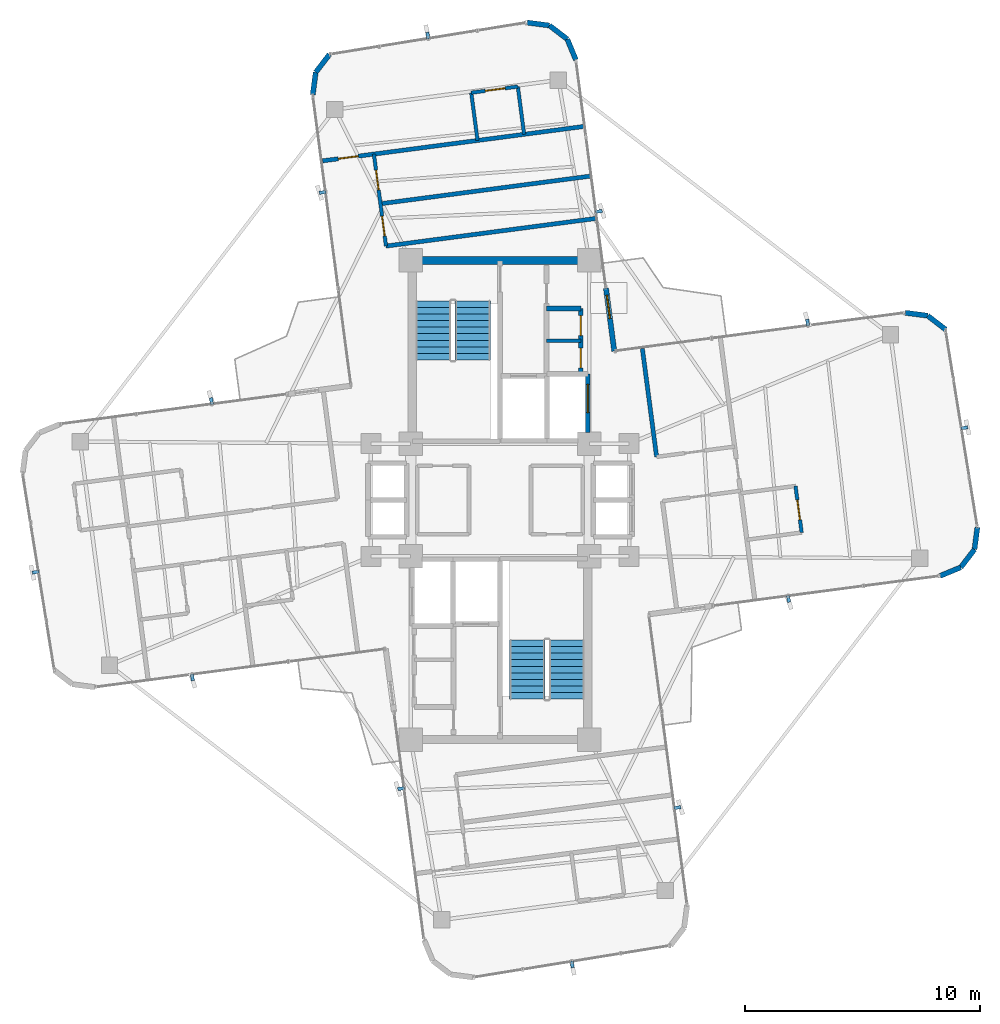
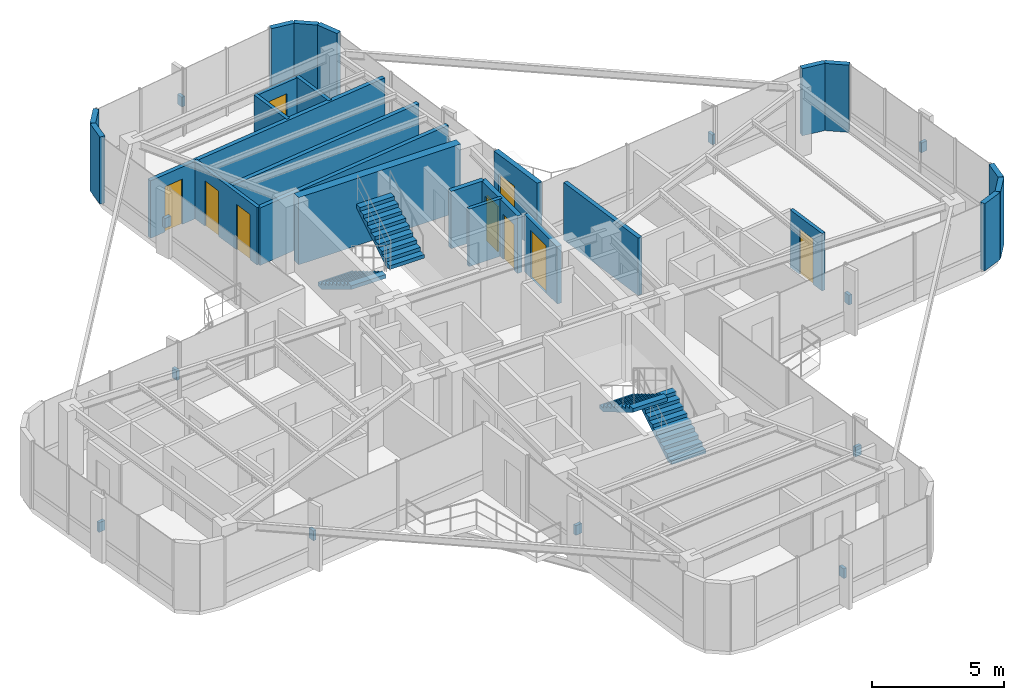
# One storey, part 20 of 21: 25 walls, 12 discrete accessories, 9 doors, 4 stair flights, 9 openings, 2 elements without a shape of their own.
"""IFC4 building model written with IfcOpenShell, lengths in metres."""

from ifc_helpers import new_model, si_unit, direction, frame, frame_2d, origin, origin_2d, place, context, subcontext, project, spatial, polyline, rectangle, outline, extrude, source, transform, mapped, material, layer, layer_set, type_object, element, fill, aggregate, save


model = new_model("IFC4")

# Units and contexts
model_context = context("Model", 3, precision=1e-05, world=origin(), true_north=direction((0.0, 1.0)))
body_context = subcontext(model_context, "Body", "Model", "MODEL_VIEW")
ifc_project = project(units=[si_unit("LENGTHUNIT", "METRE"), si_unit("AREAUNIT", "SQUARE_METRE"), si_unit("VOLUMEUNIT", "CUBIC_METRE"), si_unit("PLANEANGLEUNIT", "RADIAN"), si_unit("MASSUNIT", "GRAM", prefix="KILO")], contexts=[model_context])

# Site, building, storey
site_placement = place(None, origin())
site = spatial("IfcSite", under=ifc_project, at=site_placement, CompositionType="ELEMENT")
building_placement = place(site_placement, origin())
building = spatial("IfcBuilding", under=site, at=building_placement, Name="Sahyath Konkavel Grand Hotel", CompositionType="ELEMENT")
storey_placement = place(building_placement, frame((0.0, 0.0, 209.85009765625)))
storey = spatial("IfcBuildingStorey", under=building, at=storey_placement, Name="L58", CompositionType="ELEMENT", Elevation=209.85009765625)

# Walls
ifc_material_1 = material(Name="Concrete C40/50", Category="concrete")
ifc_layer_1 = layer(ifc_material_1, 0.35009765625)
ifc_layer_set_1 = layer_set([ifc_layer_1], Name="Concrete C40/50")
wall_type_1 = type_object("IfcWallType", Name="CWALL-350", PredefinedType="SHEAR", material=ifc_layer_set_1)
wall_1_placement = place(storey_placement, frame((-3.550048828125, 10.199951171875, 0.0), z_axis=(0.0, 0.0, 1.0), x_axis=(1.0, 0.0, 0.0)))
element("IfcWall", 1, at=wall_1_placement, inside=storey, type_object=wall_type_1, Name="L58 North Core Shear Wall N", PredefinedType="SHEAR", context=body_context, shape_type="SweptSolid", body=[
    extrude(rectangle(XDim=7.10009765625, YDim=0.35009765625, at=frame_2d((3.550048828125, 0.0))), origin(), (0.0, 0.0, 1.0), 3.10986328125),
])
ifc_material_2 = material(Name="Warm Buff Sandstone Insulated Concrete C40/50", Category="masonry")
ifc_layer_2 = layer(ifc_material_2, 0.219970703125)
ifc_layer_set_2 = layer_set([ifc_layer_2], Name="Warm Buff Sandstone Insulated Concrete C40/50")
wall_type_2 = type_object("IfcWallType", Name="WLL-BALC-THRESH", PredefinedType="STANDARD", material=ifc_layer_set_2)
for number, where, z_axis, x_axis, name in (
    (2, (18.732177734375, -3.232666015625, 0.0), (0.0, 0.0, 1.0), (0.923889442397, 0.382659506909, 0.0), "L58 Rounded Corner Sandstone Pier 1"),
    (3, (19.616943359375, -2.8662109375, 0.0), (0.0, 0.0, 1.0), (0.608774010809, 0.793343685778, 0.0), "L58 Rounded Corner Sandstone Pier 2"),
    (4, (20.199951171875, -2.1064453125, 0.0), (0.0, 0.0, 1.0), (0.130527053476, 0.991444747987, 0.0), "L58 Rounded Corner Sandstone Pier 3"),
):
    element("IfcWall", number, at=place(storey_placement, frame(where, z_axis=z_axis, x_axis=x_axis)), inside=storey, type_object=wall_type_2, Name=name, PredefinedType="STANDARD", context=body_context, shape_type="SweptSolid", body=[
        extrude(rectangle(XDim=0.957763671875, YDim=0.219970703125, at=frame_2d((0.47900390625, 0.0))), origin(), (0.0, 0.0, 1.0), 3.10986328125),
    ])
wall_2_placement = place(storey_placement, frame((18.96630859375, 7.2626953125, 0.0), z_axis=(0.0, 0.0, 1.0), x_axis=(-0.793249178392, 0.608897151398, 0.0)))
element("IfcWall", 5, at=wall_2_placement, inside=storey, type_object=wall_type_2, Name="L58 Rounded Corner Sandstone Pier 5", PredefinedType="STANDARD", context=body_context, shape_type="SweptSolid", body=[
    extrude(rectangle(XDim=0.95751953125, YDim=0.219970703125, at=frame_2d((0.478759765625, 0.0))), origin(), (0.0, 0.0, 1.0), 3.10986328125),
])
wall_3_placement = place(storey_placement, frame((18.206787109375, 7.845703125, 0.0), z_axis=(0.0, 0.0, 1.0), x_axis=(-0.991444747987, 0.130527053476, 0.0)))
element("IfcWall", 6, at=wall_3_placement, inside=storey, type_object=wall_type_2, Name="L58 Rounded Corner Sandstone Pier 6", PredefinedType="STANDARD", context=body_context, shape_type="SweptSolid", body=[
    extrude(rectangle(XDim=0.957763671875, YDim=0.219970703125, at=frame_2d((0.47900390625, 0.0))), origin(), (0.0, 0.0, 1.0), 3.10986328125),
])

# Wall, opening, door
wall_4_placement = place(storey_placement, frame((4.8642578125, 6.339111328125, 0.0), z_axis=(0.0, 0.0, 1.0), x_axis=(-0.130564442062, 0.991439824936, 0.0)))
wall_4 = element("IfcWall", 7, at=wall_4_placement, inside=storey, type_object=wall_type_2, Name="L58 Winter-Garden Threshold Wall 8", PredefinedType="STANDARD", context=body_context, shape_type="SweptSolid", body=[
    extrude(rectangle(XDim=2.7001953125, YDim=0.219970703125, at=frame_2d((1.35009765625, 0.0))), origin(), (0.0, 0.0, 1.0), 3.10986328125),
])
opening_1_placement = place(wall_4_placement, frame((1.39990234375, 0.0, 0.0)))
opening_1 = element("IfcOpeningElement", 8, at=opening_1_placement, cuts=wall_4, Name="Opening D-TR1", PredefinedType="OPENING", context=body_context, shape_type="SweptSolid", body=[
    extrude(rectangle(XDim=1.0, YDim=2.199951171875, at=frame_2d((0.5, 1.10009765625))), frame((0.0, 0.1201171875, 0.0), z_axis=(0.0, -1.0, 0.0), x_axis=(1.0, 0.0, 0.0)), (0.0, 0.0, 1.0), 0.239990234375),
])
ifc_material_3 = material(Name="Anodised Bronze Aluminium & Low-E Glazing", Category="aluminium")
door_type_1 = type_object("IfcDoorType", Name="DR-TERRACE-1000", OperationType="NOTDEFINED", PredefinedType="DOOR", material=ifc_material_3)
shared_shape_1 = source(origin(), body_context, "Body", "SweptSolid", [
    extrude(rectangle(XDim=1.0, YDim=0.050048828125, at=origin_2d()), origin(), (0.0, 0.0, 1.0), 2.199951171875),
])
door_1_placement = place(opening_1_placement, frame((0.5, 0.0, 0.0)))
door_1 = element("IfcDoor", 9, at=door_1_placement, inside=storey, type_object=door_type_1, Name="L58 Winter-Garden Terrace Door 8", OperationType="SINGLE_SWING_LEFT", OverallHeight=2.199951171875, OverallWidth=1.0, PredefinedType="DOOR", context=body_context, shape_type="MappedRepresentation", body=[
    mapped(shared_shape_1, transform((0.0, 0.0, 0.0), scale=1.0)),
])
fill(opening_1, door_1)

# Walls
for number, where, z_axis, x_axis, name in (
    (10, (3.232666015625, 18.732177734375, 0.0), (0.0, 0.0, 1.0), (-0.382659506909, 0.923889442397, 0.0), "L58 Rounded Corner Sandstone Pier 9"),
    (11, (2.8662109375, 19.616943359375, 0.0), (0.0, 0.0, 1.0), (-0.793343685778, 0.608774010809, 0.0), "L58 Rounded Corner Sandstone Pier 10"),
    (12, (2.1064453125, 20.199951171875, 0.0), (0.0, 0.0, 1.0), (-0.991444747987, 0.130527053476, 0.0), "L58 Rounded Corner Sandstone Pier 11"),
):
    element("IfcWall", number, at=place(storey_placement, frame(where, z_axis=z_axis, x_axis=x_axis)), inside=storey, type_object=wall_type_2, Name=name, PredefinedType="STANDARD", context=body_context, shape_type="SweptSolid", body=[
        extrude(rectangle(XDim=0.957763671875, YDim=0.219970703125, at=frame_2d((0.47900390625, 0.0))), origin(), (0.0, 0.0, 1.0), 3.10986328125),
    ])
wall_5_placement = place(storey_placement, frame((-7.2626953125, 18.96630859375, 0.0), z_axis=(0.0, 0.0, 1.0), x_axis=(-0.608897151398, -0.793249178392, 0.0)))
element("IfcWall", 13, at=wall_5_placement, inside=storey, type_object=wall_type_2, Name="L58 Rounded Corner Sandstone Pier 13", PredefinedType="STANDARD", context=body_context, shape_type="SweptSolid", body=[
    extrude(rectangle(XDim=0.95751953125, YDim=0.219970703125, at=frame_2d((0.478759765625, 0.0))), origin(), (0.0, 0.0, 1.0), 3.10986328125),
])
wall_6_placement = place(storey_placement, frame((-7.845703125, 18.206787109375, 0.0), z_axis=(0.0, 0.0, 1.0), x_axis=(-0.130527053476, -0.991444747987, 0.0)))
element("IfcWall", 14, at=wall_6_placement, inside=storey, type_object=wall_type_2, Name="L58 Rounded Corner Sandstone Pier 14", PredefinedType="STANDARD", context=body_context, shape_type="SweptSolid", body=[
    extrude(rectangle(XDim=0.957763671875, YDim=0.219970703125, at=frame_2d((0.47900390625, 0.0))), origin(), (0.0, 0.0, 1.0), 3.10986328125),
])

# Wall, opening, door
ifc_layer_3 = layer(ifc_material_1, 0.199951171875)
ifc_layer_set_3 = layer_set([ifc_layer_3], Name="Concrete C40/50")
wall_type_3 = type_object("IfcWallType", Name="WLL-CORE-200", PredefinedType="SOLIDWALL", material=ifc_layer_set_3)
wall_7_placement = place(storey_placement, frame((3.739990234375, 2.8798828125, 0.0), z_axis=(0.0, 0.0, 1.0), x_axis=(0.0, 1.0, 0.0)))
wall_7 = element("IfcWall", 15, at=wall_7_placement, inside=storey, type_object=wall_type_3, Name="L58 Partition SH-SVL1-E", PredefinedType="SOLIDWALL", context=body_context, shape_type="SweptSolid", body=[
    extrude(rectangle(XDim=2.480224609375, YDim=0.199951171875, at=frame_2d((1.240234375, 0.0))), origin(), (0.0, 0.0, 1.0), 2.659912109375),
])
opening_2_placement = place(wall_7_placement, frame((0.840087890625, 0.0, 0.0)))
opening_2 = element("IfcOpeningElement", 16, at=opening_2_placement, cuts=wall_7, Name="Opening LD-12", PredefinedType="OPENING", context=body_context, shape_type="SweptSolid", body=[
    extrude(rectangle(XDim=1.199951171875, YDim=2.199951171875, at=frame_2d((0.60009765625, 1.10009765625))), frame((0.0, 0.10986328125, 0.0), z_axis=(0.0, -1.0, 0.0), x_axis=(1.0, 0.0, 0.0)), (0.0, 0.0, 1.0), 0.219970703125),
])
ifc_material_4 = material(Name="Stainless Steel Lift Landing Door 1200", Category="steel")
door_type_2 = type_object("IfcDoorType", Name="DR-LIFT-1200", OperationType="DOUBLE_DOOR_SLIDING", PredefinedType="DOOR", material=ifc_material_4)
shared_shape_2 = source(origin(), body_context, "Body", "SweptSolid", [
    extrude(rectangle(XDim=1.199951171875, YDim=0.050048828125, at=origin_2d()), origin(), (0.0, 0.0, 1.0), 2.199951171875),
])
door_2_placement = place(opening_2_placement, frame((0.60009765625, 0.0, 0.0)))
door_2 = element("IfcDoor", 17, at=door_2_placement, inside=storey, type_object=door_type_2, Name="L58 Service Lift SVL-1 Landing Door", OperationType="DOUBLE_DOOR_SLIDING", OverallHeight=2.199951171875, OverallWidth=1.199951171875, PredefinedType="DOOR", context=body_context, shape_type="MappedRepresentation", body=[
    mapped(shared_shape_2, transform((0.0, 0.0, 0.0), scale=1.0)),
])
fill(opening_2, door_2)

# Wall, openings, doors
wall_8_placement = place(storey_placement, frame((3.43994140625, 5.3798828125, 0.0), z_axis=(0.0, 0.0, 1.0), x_axis=(0.0, 1.0, 0.0)))
wall_8 = element("IfcWall", 18, at=wall_8_placement, inside=storey, type_object=wall_type_3, Name="L58 Reclaimed North Core Wall E", PredefinedType="SOLIDWALL", context=body_context, shape_type="SweptSolid", body=[
    extrude(rectangle(XDim=2.77001953125, YDim=0.199951171875, at=frame_2d((1.385009765625, 0.0))), origin(), (0.0, 0.0, 1.0), 2.659912109375),
])
opening_3_placement = place(wall_8_placement, frame((0.239990234375, 0.0, 0.0)))
opening_3 = element("IfcOpeningElement", 19, at=opening_3_placement, cuts=wall_8, Name="Opening D-F06D", PredefinedType="OPENING", context=body_context, shape_type="SweptSolid", body=[
    extrude(rectangle(XDim=0.85009765625, YDim=2.10009765625, at=frame_2d((0.425048828125, 1.050048828125))), frame((0.0, 0.10986328125, 0.0), z_axis=(0.0, -1.0, 0.0), x_axis=(1.0, 0.0, 0.0)), (0.0, 0.0, 1.0), 0.219970703125),
])
opening_4_placement = place(wall_8_placement, frame((1.6201171875, 0.0, 0.0)))
opening_4 = element("IfcOpeningElement", 20, at=opening_4_placement, cuts=wall_8, Name="Opening D-F06D", PredefinedType="OPENING", context=body_context, shape_type="SweptSolid", body=[
    extrude(rectangle(XDim=0.85009765625, YDim=2.10009765625, at=frame_2d((0.425048828125, 1.050048828125))), frame((0.0, 0.10986328125, 0.0), z_axis=(0.0, -1.0, 0.0), x_axis=(1.0, 0.0, 0.0)), (0.0, 0.0, 1.0), 0.219970703125),
])
ifc_material_5 = material(Name="Fire-Rated Shaft Access Door")
door_type_3 = type_object("IfcDoorType", Name="DR-FD60-850", OperationType="NOTDEFINED", PredefinedType="DOOR", material=ifc_material_5)
shared_shape_3 = source(origin(), body_context, "Body", "SweptSolid", [
    extrude(rectangle(XDim=0.85009765625, YDim=0.050048828125, at=origin_2d()), origin(), (0.0, 0.0, 1.0), 2.10009765625),
])
door_3_placement = place(opening_3_placement, frame((0.425048828125, 0.0, 0.0)))
door_3 = element("IfcDoor", 21, at=door_3_placement, inside=storey, type_object=door_type_3, Name="L58 Door NC-REC1-D", OperationType="SINGLE_SWING_RIGHT", OverallHeight=2.10009765625, OverallWidth=0.85009765625, PredefinedType="DOOR", context=body_context, shape_type="MappedRepresentation", body=[
    mapped(shared_shape_3, transform((0.0, 0.0, 0.0), scale=1.0)),
])
fill(opening_3, door_3)
door_4_placement = place(opening_4_placement, frame((0.425048828125, 0.0, 0.0)))
door_4 = element("IfcDoor", 22, at=door_4_placement, inside=storey, type_object=door_type_3, Name="L58 Door NC-REC2-D", OperationType="SINGLE_SWING_LEFT", OverallHeight=2.10009765625, OverallWidth=0.85009765625, PredefinedType="DOOR", context=body_context, shape_type="MappedRepresentation", body=[
    mapped(shared_shape_3, transform((0.0, 0.0, 0.0), scale=1.0)),
])
fill(opening_4, door_4)

# Walls
wall_9_placement = place(storey_placement, frame((1.97998046875, 8.14990234375, 0.0), z_axis=(0.0, 0.0, 1.0), x_axis=(1.0, 0.0, 0.0)))
element("IfcWall", 23, at=wall_9_placement, inside=storey, type_object=wall_type_3, Name="L58 Partition NC-REC-N", PredefinedType="SOLIDWALL", context=body_context, shape_type="SweptSolid", body=[
    extrude(rectangle(XDim=1.4599609375, YDim=0.199951171875, at=frame_2d((0.72998046875, 0.0))), origin(), (0.0, 0.0, 1.0), 2.659912109375),
])
ifc_material_6 = material(Name="Twin-Stud Acoustic Gypsum Plasterboard Partition")
ifc_layer_4 = layer(ifc_material_6, 0.179931640625)
ifc_layer_set_4 = layer_set([ifc_layer_4], Name="Twin-Stud Acoustic Gypsum Plasterboard Partition")
wall_type_4 = type_object("IfcWallType", Name="WLL-DEMISE-180", PredefinedType="PARTITIONING", material=ifc_layer_set_4)
wall_10_placement = place(storey_placement, frame((6.66748046875, 1.8359375, 0.0), z_axis=(0.0, 0.0, 1.0), x_axis=(-0.13051970184, 0.991445715827, 0.0)))
element("IfcWall", 24, at=wall_10_placement, inside=storey, type_object=wall_type_4, Name="L58 Partition E-INL", PredefinedType="PARTITIONING", context=body_context, shape_type="SweptSolid", body=[
    extrude(rectangle(XDim=4.650146484375, YDim=0.179931640625, at=frame_2d((2.3251953125, 0.0))), origin(), (0.0, 0.0, 1.0), 2.659912109375),
])
wall_11_placement = place(storey_placement, frame((4.070556640625, 11.98388671875, 0.0), z_axis=(0.0, 0.0, 1.0), x_axis=(-0.99144358168, -0.130535912089, 0.0)))
element("IfcWall", 25, at=wall_11_placement, inside=storey, type_object=wall_type_4, Name="L58 Partition N-G5I", PredefinedType="PARTITIONING", context=body_context, shape_type="SweptSolid", body=[
    extrude(rectangle(XDim=8.999755859375, YDim=0.179931640625, at=frame_2d((4.5, 0.0))), origin(), (0.0, 0.0, 1.0), 2.659912109375),
])
wall_12_placement = place(storey_placement, frame((-5.089599609375, 12.610595703125, 0.0), z_axis=(0.0, 0.0, 1.0), x_axis=(0.991444043898, 0.130532401413, 0.0)))
element("IfcWall", 26, at=wall_12_placement, inside=storey, type_object=wall_type_4, Name="L58 Partition N-ND1-DEM", PredefinedType="PARTITIONING", context=body_context, shape_type="SweptSolid", body=[
    extrude(rectangle(XDim=9.0, YDim=0.179931640625, at=frame_2d((4.5, 0.0))), origin(), (0.0, 0.0, 1.0), 2.659912109375),
])

# Wall, opening, door
wall_13_placement = place(storey_placement, frame((3.554931640625, 15.900146484375, 0.0), z_axis=(0.0, 0.0, 1.0), x_axis=(-0.991444350479, -0.130530072791, 0.0)))
wall_13 = element("IfcWall", 27, at=wall_13_placement, inside=storey, type_object=wall_type_4, Name="L58 Partition N-NTIP-END", PredefinedType="PARTITIONING", context=body_context, shape_type="SweptSolid", body=[
    extrude(rectangle(XDim=11.19970703125, YDim=0.179931640625, at=frame_2d((5.599853515625, 0.0))), origin(), (0.0, 0.0, 1.0), 2.659912109375),
])
opening_5_placement = place(wall_13_placement, frame((9.675048828125, 0.0, 0.0)))
opening_5 = element("IfcOpeningElement", 28, at=opening_5_placement, cuts=wall_13, Name="Opening D-F06D", PredefinedType="OPENING", context=body_context, shape_type="SweptSolid", body=[
    extrude(rectangle(XDim=0.85009765625, YDim=2.10009765625, at=frame_2d((0.425048828125, 1.050048828125))), frame((0.0, 0.10009765625, 0.0), z_axis=(0.0, -1.0, 0.0), x_axis=(1.0, 0.0, 0.0)), (0.0, 0.0, 1.0), 0.199951171875),
])
door_5_placement = place(opening_5_placement, frame((0.425048828125, 0.0, 0.0)))
door_5 = element("IfcDoor", 29, at=door_5_placement, inside=storey, type_object=door_type_3, Name="L58 Door N-NTIP-ED", OperationType="SINGLE_SWING_LEFT", OverallHeight=2.10009765625, OverallWidth=0.85009765625, PredefinedType="DOOR", context=body_context, shape_type="MappedRepresentation", body=[
    mapped(shared_shape_3, transform((0.0, 0.0, 0.0), scale=1.0)),
])
fill(opening_5, door_5)

# Wall
ifc_material_7 = material(Name="Fire-Rated Gypsum Plasterboard Partition")
ifc_layer_5 = layer(ifc_material_7, 0.14990234375)
ifc_layer_set_5 = layer_set([ifc_layer_5], Name="Fire-Rated Gypsum Plasterboard Partition")
wall_type_5 = type_object("IfcWallType", Name="WLL-PART-150", PredefinedType="PARTITIONING", material=ifc_layer_set_5)
wall_14_placement = place(storey_placement, frame((1.97998046875, 6.77001953125, 0.0), z_axis=(0.0, 0.0, 1.0), x_axis=(1.0, 0.0, 0.0)))
element("IfcWall", 30, at=wall_14_placement, inside=storey, type_object=wall_type_5, Name="L58 Partition NC-REC-M1", PredefinedType="PARTITIONING", context=body_context, shape_type="SweptSolid", body=[
    extrude(rectangle(XDim=1.4599609375, YDim=0.14990234375, at=frame_2d((0.72998046875, 0.0))), origin(), (0.0, 0.0, 1.0), 2.659912109375),
])

# Wall, opening, door
wall_15_placement = place(storey_placement, frame((12.8408203125, -1.3857421875, 0.0), z_axis=(0.0, 0.0, 1.0), x_axis=(-0.130612392842, 0.991433509034, 0.0)))
wall_15 = element("IfcWall", 31, at=wall_15_placement, inside=storey, type_object=wall_type_5, Name="L58 Partition E-ETIP-BE", PredefinedType="PARTITIONING", context=body_context, shape_type="SweptSolid", body=[
    extrude(rectangle(XDim=2.0, YDim=0.14990234375, at=frame_2d((1.0, 0.0))), origin(), (0.0, 0.0, 1.0), 2.659912109375),
])
opening_6_placement = place(wall_15_placement, frame((0.550048828125, 0.0, 0.0)))
opening_6 = element("IfcOpeningElement", 32, at=opening_6_placement, cuts=wall_15, Name="Opening D-BT85", PredefinedType="OPENING", context=body_context, shape_type="SweptSolid", body=[
    extrude(rectangle(XDim=0.85009765625, YDim=2.10009765625, at=frame_2d((0.425048828125, 1.050048828125))), frame((0.0, 0.0849609375, 0.0), z_axis=(0.0, -1.0, 0.0), x_axis=(1.0, 0.0, 0.0)), (0.0, 0.0, 1.0), 0.169921875),
])
ifc_material_8 = material(Name="Moisture-Resistant Teak Bathroom Door")
door_type_4 = type_object("IfcDoorType", Name="DR-BATH-850", OperationType="NOTDEFINED", PredefinedType="DOOR", material=ifc_material_8)
door_6_placement = place(opening_6_placement, frame((0.425048828125, 0.0, 0.0)))
door_6 = element("IfcDoor", 33, at=door_6_placement, inside=storey, type_object=door_type_4, Name="L58 Door E-ETIP-BD", OperationType="SINGLE_SWING_RIGHT", OverallHeight=2.10009765625, OverallWidth=0.85009765625, PredefinedType="DOOR", context=body_context, shape_type="MappedRepresentation", body=[
    mapped(shared_shape_3, transform((0.0, 0.0, 0.0), scale=1.0)),
])
fill(opening_6, door_6)

# Wall, openings, doors
wall_16_placement = place(storey_placement, frame((-4.852294921875, 10.80908203125, 0.0), z_axis=(0.0, 0.0, 1.0), x_axis=(-0.130536051723, 0.991443563296, 0.0)))
wall_16 = element("IfcWall", 34, at=wall_16_placement, inside=storey, type_object=wall_type_5, Name="L58 Partition N-G5W", PredefinedType="PARTITIONING", context=body_context, shape_type="SweptSolid", body=[
    extrude(rectangle(XDim=3.949951171875, YDim=0.14990234375, at=frame_2d((1.97509765625, 0.0))), origin(), (0.0, 0.0, 1.0), 2.659912109375),
])
opening_7_placement = place(wall_16_placement, frame((0.43408203125, 0.0, 0.0)))
opening_7 = element("IfcOpeningElement", 35, at=opening_7_placement, cuts=wall_16, Name="Opening D-F06D", PredefinedType="OPENING", context=body_context, shape_type="SweptSolid", body=[
    extrude(rectangle(XDim=0.85009765625, YDim=2.10009765625, at=frame_2d((0.425048828125, 1.050048828125))), frame((0.0, 0.0849609375, 0.0), z_axis=(0.0, -1.0, 0.0), x_axis=(1.0, 0.0, 0.0)), (0.0, 0.0, 1.0), 0.169921875),
])
opening_8_placement = place(wall_16_placement, frame((2.407958984375, 0.0, 0.0)))
opening_8 = element("IfcOpeningElement", 36, at=opening_8_placement, cuts=wall_16, Name="Opening D-F06D", PredefinedType="OPENING", context=body_context, shape_type="SweptSolid", body=[
    extrude(rectangle(XDim=0.85009765625, YDim=2.10009765625, at=frame_2d((0.425048828125, 1.050048828125))), frame((0.0, 0.0849609375, 0.0), z_axis=(0.0, -1.0, 0.0), x_axis=(1.0, 0.0, 0.0)), (0.0, 0.0, 1.0), 0.169921875),
])
door_7_placement = place(opening_7_placement, frame((0.425048828125, 0.0, 0.0)))
door_7 = element("IfcDoor", 37, at=door_7_placement, inside=storey, type_object=door_type_3, Name="L58 Door N-ND1-D", OperationType="SINGLE_SWING_RIGHT", OverallHeight=2.10009765625, OverallWidth=0.85009765625, PredefinedType="DOOR", context=body_context, shape_type="MappedRepresentation", body=[
    mapped(shared_shape_3, transform((0.0, 0.0, 0.0), scale=1.0)),
])
fill(opening_7, door_7)
door_8_placement = place(opening_8_placement, frame((0.425048828125, 0.0, 0.0)))
door_8 = element("IfcDoor", 38, at=door_8_placement, inside=storey, type_object=door_type_3, Name="L58 Door N-ND2-D", OperationType="SINGLE_SWING_LEFT", OverallHeight=2.10009765625, OverallWidth=0.85009765625, PredefinedType="DOOR", context=body_context, shape_type="MappedRepresentation", body=[
    mapped(shared_shape_3, transform((0.0, 0.0, 0.0), scale=1.0)),
])
fill(opening_8, door_8)

# Walls
for number, where, z_axis, x_axis, name in (
    (39, (-0.9560546875, 15.30615234375, 0.0), (0.0, 0.0, 1.0), (-0.13052536781, 0.991444969909, 0.0), "L58 Partition N-NTIP-BN"),
    (40, (1.02685546875, 15.567138671875, 0.0), (0.0, 0.0, 1.0), (-0.13052536781, 0.991444969909, 0.0), "L58 Partition N-NTIP-BS"),
):
    element("IfcWall", number, at=place(storey_placement, frame(where, z_axis=z_axis, x_axis=x_axis)), inside=storey, type_object=wall_type_5, Name=name, PredefinedType="PARTITIONING", context=body_context, shape_type="SweptSolid", body=[
        extrude(rectangle(XDim=2.050048828125, YDim=0.14990234375, at=frame_2d((1.02490234375, 0.0))), origin(), (0.0, 0.0, 1.0), 2.659912109375),
    ])

# Wall, opening, door
wall_17_placement = place(storey_placement, frame((0.75927734375, 17.599609375, 0.0), z_axis=(0.0, 0.0, 1.0), x_axis=(-0.991449308994, -0.130492404742, 0.0)))
wall_17 = element("IfcWall", 41, at=wall_17_placement, inside=storey, type_object=wall_type_5, Name="L58 Partition N-NTIP-BE", PredefinedType="PARTITIONING", context=body_context, shape_type="SweptSolid", body=[
    extrude(rectangle(XDim=2.0, YDim=0.14990234375, at=frame_2d((1.0, 0.0))), origin(), (0.0, 0.0, 1.0), 2.6298828125),
])
opening_9_placement = place(wall_17_placement, frame((0.550048828125, 0.0, 0.0)))
opening_9 = element("IfcOpeningElement", 42, at=opening_9_placement, cuts=wall_17, Name="Opening D-BT85", PredefinedType="OPENING", context=body_context, shape_type="SweptSolid", body=[
    extrude(rectangle(XDim=0.85009765625, YDim=2.10009765625, at=frame_2d((0.425048828125, 1.050048828125))), frame((0.0, 0.0849609375, 0.0), z_axis=(0.0, -1.0, 0.0), x_axis=(1.0, 0.0, 0.0)), (0.0, 0.0, 1.0), 0.169921875),
])
door_9_placement = place(opening_9_placement, frame((0.425048828125, 0.0, 0.0)))
door_9 = element("IfcDoor", 43, at=door_9_placement, inside=storey, type_object=door_type_4, Name="L58 Door N-NTIP-BD", OperationType="SINGLE_SWING_RIGHT", OverallHeight=2.10009765625, OverallWidth=0.85009765625, PredefinedType="DOOR", context=body_context, shape_type="MappedRepresentation", body=[
    mapped(shared_shape_3, transform((0.0, 0.0, 0.0), scale=1.0)),
])
fill(opening_9, door_9)

# Stair, stair flights
stair_type = type_object("IfcStairType", Name="STR-ST16-335", PredefinedType="HALF_TURN_STAIR", material=ifc_material_1)
stair_1_placement = place(storey_placement, origin())
stair_1 = element("IfcStair", 44, at=stair_1_placement, inside=storey, type_object=stair_type, Name="L58 North Core Smokeproof Exit Stair ST-1", PredefinedType="HALF_TURN_STAIR")
stair_flight_type = type_object("IfcStairFlightType", Name="STF-ST16-335", PredefinedType="STRAIGHT", material=ifc_material_1)
stair_flight_1_placement = place(storey_placement, frame((-2.840087890625, 8.47998046875, 0.0), z_axis=(0.0, 0.0, 1.0), x_axis=(0.0, -1.0, 0.0)))
stair_flight_1 = element("IfcStairFlight", 45, at=stair_flight_1_placement, type_object=stair_flight_type, Name="ST-1 flight 1", NumberOfRisers=10, NumberOfTreads=9, PredefinedType="STRAIGHT", RiserHeight=0.1675, TreadLength=0.28, context=body_context, shape_type="SweptSolid", body=[
    extrude(outline(polyline([(0.0, 0.0), (0.0, 0.16748046875), (0.280029296875, 0.16748046875), (0.280029296875, 0.3349609375), (0.56005859375, 0.3349609375), (0.56005859375, 0.50244140625), (0.840087890625, 0.50244140625), (0.840087890625, 0.669921875), (1.1201171875, 0.669921875), (1.1201171875, 0.83740234375), (1.39990234375, 0.83740234375), (1.39990234375, 1.0048828125), (1.679931640625, 1.0048828125), (1.679931640625, 1.172607421875), (1.9599609375, 1.172607421875), (1.9599609375, 1.340087890625), (2.239990234375, 1.340087890625), (2.239990234375, 1.507568359375), (2.52001953125, 1.507568359375), (2.52001953125, 1.675048828125), (2.52001953125, 1.332763671875), (0.2919921875, 0.0), (0.0, 0.0)])), frame((0.0, 0.760009765625, 0.0), z_axis=(0.0, -1.0, 0.0), x_axis=(1.0, 0.0, 0.0)), (0.0, 0.0, 1.0), 1.52001953125),
])
stair_flight_2_placement = place(storey_placement, frame((-1.159912109375, 5.9599609375, 1.6748046875), z_axis=(0.0, 0.0, 1.0), x_axis=(0.0, 1.0, 0.0)))
stair_flight_2 = element("IfcStairFlight", 46, at=stair_flight_2_placement, type_object=stair_flight_type, Name="ST-1 flight 2", NumberOfRisers=10, NumberOfTreads=9, PredefinedType="STRAIGHT", RiserHeight=0.1675, TreadLength=0.28, context=body_context, shape_type="SweptSolid", body=[
    extrude(outline(polyline([(0.0, 0.0), (0.0, 0.16748046875), (0.280029296875, 0.16748046875), (0.280029296875, 0.3349609375), (0.56005859375, 0.3349609375), (0.56005859375, 0.50244140625), (0.840087890625, 0.50244140625), (0.840087890625, 0.669921875), (1.1201171875, 0.669921875), (1.1201171875, 0.83740234375), (1.39990234375, 0.83740234375), (1.39990234375, 1.0048828125), (1.679931640625, 1.0048828125), (1.679931640625, 1.172607421875), (1.9599609375, 1.172607421875), (1.9599609375, 1.340087890625), (2.239990234375, 1.340087890625), (2.239990234375, 1.507568359375), (2.52001953125, 1.507568359375), (2.52001953125, 1.675048828125), (2.52001953125, 1.332763671875), (0.2919921875, 0.0), (0.0, 0.0)])), frame((0.0, 0.760009765625, 0.0), z_axis=(0.0, -1.0, 0.0), x_axis=(1.0, 0.0, 0.0)), (0.0, 0.0, 1.0), 1.52001953125),
])
aggregate(stair_1, [stair_flight_1, stair_flight_2])

stair_2_placement = place(storey_placement, origin())
stair_2 = element("IfcStair", 47, at=stair_2_placement, inside=storey, type_object=stair_type, Name="L58 South Core Smokeproof Exit Stair ST-2", PredefinedType="HALF_TURN_STAIR")
stair_flight_3_placement = place(storey_placement, frame((2.840087890625, -8.47998046875, 0.0), z_axis=(0.0, 0.0, 1.0), x_axis=(0.0, 1.0, 0.0)))
stair_flight_3 = element("IfcStairFlight", 48, at=stair_flight_3_placement, type_object=stair_flight_type, Name="ST-2 flight 1", NumberOfRisers=10, NumberOfTreads=9, PredefinedType="STRAIGHT", RiserHeight=0.1675, TreadLength=0.28, context=body_context, shape_type="SweptSolid", body=[
    extrude(outline(polyline([(0.0, 0.0), (0.0, 0.16748046875), (0.280029296875, 0.16748046875), (0.280029296875, 0.3349609375), (0.56005859375, 0.3349609375), (0.56005859375, 0.50244140625), (0.840087890625, 0.50244140625), (0.840087890625, 0.669921875), (1.1201171875, 0.669921875), (1.1201171875, 0.83740234375), (1.39990234375, 0.83740234375), (1.39990234375, 1.0048828125), (1.679931640625, 1.0048828125), (1.679931640625, 1.172607421875), (1.9599609375, 1.172607421875), (1.9599609375, 1.340087890625), (2.239990234375, 1.340087890625), (2.239990234375, 1.507568359375), (2.52001953125, 1.507568359375), (2.52001953125, 1.675048828125), (2.52001953125, 1.332763671875), (0.2919921875, 0.0), (0.0, 0.0)])), frame((0.0, 0.760009765625, 0.0), z_axis=(0.0, -1.0, 0.0), x_axis=(1.0, 0.0, 0.0)), (0.0, 0.0, 1.0), 1.52001953125),
])
stair_flight_4_placement = place(storey_placement, frame((1.159912109375, -5.9599609375, 1.6748046875), z_axis=(0.0, 0.0, 1.0), x_axis=(0.0, -1.0, 0.0)))
stair_flight_4 = element("IfcStairFlight", 49, at=stair_flight_4_placement, type_object=stair_flight_type, Name="ST-2 flight 2", NumberOfRisers=10, NumberOfTreads=9, PredefinedType="STRAIGHT", RiserHeight=0.1675, TreadLength=0.28, context=body_context, shape_type="SweptSolid", body=[
    extrude(outline(polyline([(0.0, 0.0), (0.0, 0.16748046875), (0.280029296875, 0.16748046875), (0.280029296875, 0.3349609375), (0.56005859375, 0.3349609375), (0.56005859375, 0.50244140625), (0.840087890625, 0.50244140625), (0.840087890625, 0.669921875), (1.1201171875, 0.669921875), (1.1201171875, 0.83740234375), (1.39990234375, 0.83740234375), (1.39990234375, 1.0048828125), (1.679931640625, 1.0048828125), (1.679931640625, 1.172607421875), (1.9599609375, 1.172607421875), (1.9599609375, 1.340087890625), (2.239990234375, 1.340087890625), (2.239990234375, 1.507568359375), (2.52001953125, 1.507568359375), (2.52001953125, 1.675048828125), (2.52001953125, 1.332763671875), (0.2919921875, 0.0), (0.0, 0.0)])), frame((0.0, 0.760009765625, 0.0), z_axis=(0.0, -1.0, 0.0), x_axis=(1.0, 0.0, 0.0)), (0.0, 0.0, 1.0), 1.52001953125),
])
aggregate(stair_2, [stair_flight_3, stair_flight_4])

# Discrete accessories
ifc_material_9 = material(Name="Steel E350", Category="steel")
discrete_accessory_type = type_object("IfcDiscreteAccessoryType", Name="ACC-FIN-BRACKET", PredefinedType="BRACKET", material=ifc_material_9)
shared_shape_4 = source(origin(), body_context, "Body", "SweptSolid", [
    extrude(rectangle(XDim=0.280029296875, YDim=0.139892578125, at=origin_2d()), origin(), (0.0, 0.0, 1.0), 0.449951171875),
])
for number, where, z_axis, x_axis, name in (
    (50, (12.284912109375, -4.212646484375, 1.330078125), (0.0, 0.0, 1.0), (0.13052619222, -0.991444861374, 0.0), "L58 Fin Support Bracket F0-1"),
    (51, (19.77392578125, 3.073486328125, 1.330078125), (0.0, 0.0, 1.0), (0.98723096667, 0.159295381124, 0.0), "L58 Fin Support Bracket F4-2"),
    (52, (13.095947265625, 7.553955078125, 1.330078125), (0.0, 0.0, 1.0), (-0.13052619222, 0.991444861374, 0.0), "L58 Fin Support Bracket F7-1"),
    (53, (4.212646484375, 12.284912109375, 1.330078125), (0.0, 0.0, 1.0), (0.991444861374, 0.13052619222, 0.0), "L58 Fin Support Bracket F8-1"),
    (54, (-3.073486328125, 19.77392578125, 1.330078125), (0.0, 0.0, 1.0), (-0.159295381124, 0.98723096667, 0.0), "L58 Fin Support Bracket F12-2"),
    (55, (-7.553955078125, 13.095947265625, 1.330078125), (0.0, 0.0, 1.0), (-0.991444861374, -0.13052619222, 0.0), "L58 Fin Support Bracket F15-1"),
    (56, (-12.284912109375, 4.212646484375, 1.330078125), (0.0, 0.0, 1.0), (-0.13052619222, 0.991444861374, 0.0), "L58 Fin Support Bracket F16-1"),
    (57, (-19.77392578125, -3.073486328125, 1.330078125), (0.0, 0.0, 1.0), (-0.98723096667, -0.159295381124, 0.0), "L58 Fin Support Bracket F20-2"),
    (58, (-13.095947265625, -7.553955078125, 1.330078125), (0.0, 0.0, 1.0), (0.13052619222, -0.991444861374, 0.0), "L58 Fin Support Bracket F23-1"),
    (59, (-4.212646484375, -12.284912109375, 1.330078125), (0.0, 0.0, 1.0), (-0.991444861374, -0.13052619222, 0.0), "L58 Fin Support Bracket F24-1"),
    (60, (3.073486328125, -19.77392578125, 1.330078125), (0.0, 0.0, 1.0), (0.159295381124, -0.98723096667, 0.0), "L58 Fin Support Bracket F28-2"),
    (61, (7.553955078125, -13.095947265625, 1.330078125), (0.0, 0.0, 1.0), (0.991444861374, 0.13052619222, 0.0), "L58 Fin Support Bracket F31-1"),
):
    element("IfcDiscreteAccessory", number, at=place(storey_placement, frame(where, z_axis=z_axis, x_axis=x_axis)), inside=storey, type_object=discrete_accessory_type, Name=name, PredefinedType="BRACKET", context=body_context, shape_type="MappedRepresentation", body=[
        mapped(shared_shape_4, transform((0.0, 0.0, 0.0), scale=1.0)),
    ])

save(model, "model.ifc")
